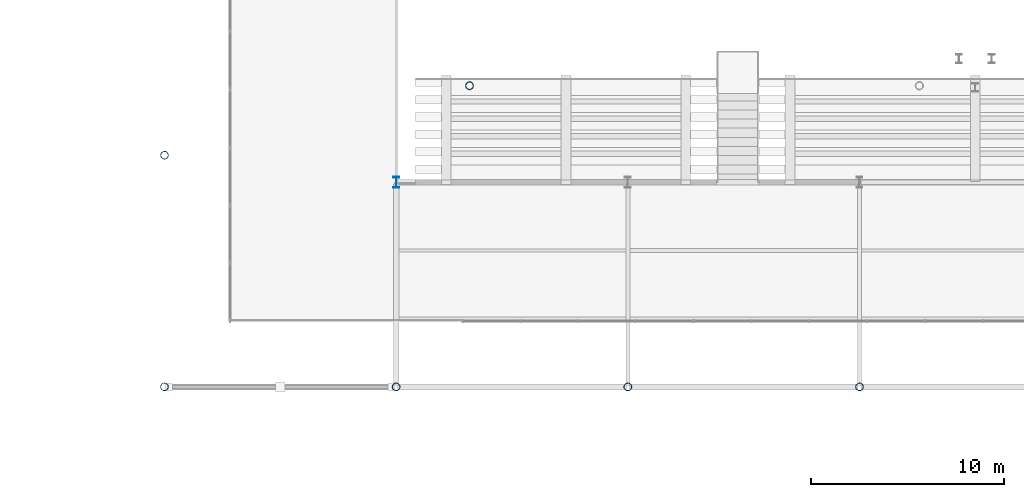
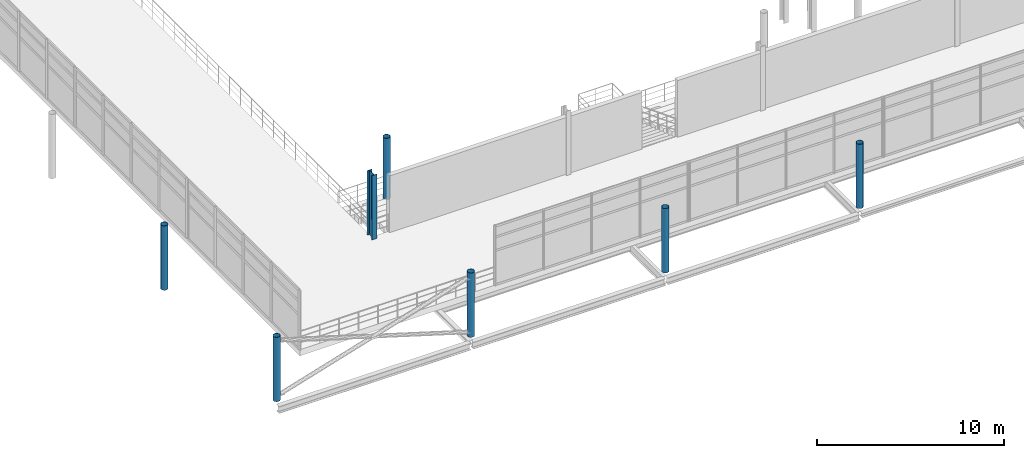
# One storey, part 1 of 89: 7 columns.
"""IFC4 building model written with IfcOpenShell, lengths in metres."""

from ifc_helpers import new_model, si_unit, direction, frame, origin, origin_2d, place, context, subcontext, project, spatial, hollow_circle, i_section, extrude, material, material_profile, profile_set, type_object, element, save


model = new_model("IFC4")

# Units and contexts
model_context = context("Model", 3, precision=1e-05, world=origin(), true_north=direction((0.0, 1.0)))
body_context = subcontext(model_context, "Body", "Model", "MODEL_VIEW")
ifc_project = project(units=[si_unit("LENGTHUNIT", "METRE"), si_unit("AREAUNIT", "SQUARE_METRE"), si_unit("VOLUMEUNIT", "CUBIC_METRE"), si_unit("PLANEANGLEUNIT", "RADIAN"), si_unit("MASSUNIT", "GRAM", prefix="KILO"), si_unit("THERMODYNAMICTEMPERATUREUNIT", "KELVIN"), si_unit("POWERUNIT", "WATT")], contexts=[model_context])

# Site, building, storey
site_placement = place(None, origin())
site = spatial("IfcSite", under=ifc_project, at=site_placement, CompositionType="ELEMENT")
building_placement = place(site_placement, origin())
building = spatial("IfcBuilding", under=site, at=building_placement, Name="Solmara Park Aquatics Centre", CompositionType="ELEMENT")
storey_placement = place(building_placement, frame((0.0, 0.0, 5.39990234375)))
storey = spatial("IfcBuildingStorey", under=building, at=storey_placement, Name="L01", CompositionType="ELEMENT", Elevation=5.39990234375)

# Columns
ifc_material = material(Name="Structural Steel S355", Category="steel")
ifc_material_profile_1 = material_profile(ifc_material, hollow_circle(Radius=0.203125, WallThickness=0.01611328125, at=origin_2d()), Name="CHS 406.4x16")
ifc_profile_set_1 = profile_set([ifc_material_profile_1], Name="Structural Steel S355")
column_type_1 = type_object("IfcColumnType", Name="STR-COL-CHS406", PredefinedType="COLUMN", material=ifc_profile_set_1)
for number, where, z_axis, x_axis, name in (
    (1, (12.60009765625, 12.60009765625, 0.0), (0.0, 0.0, 1.0), (1.0, 0.0, 0.0), "Column L01-0319"),
    (2, (12.60009765625, 24.60009765625, 0.0), (0.0, 0.0, 1.0), (1.0, 0.0, 0.0), "Column L01-0320"),
    (3, (24.60009765625, 12.60009765625, 0.0), (0.0, 0.0, 1.0), (1.0, 0.0, 0.0), "Column L01-0328"),
    (4, (36.60009765625, 12.60009765625, 0.0), (0.0, 0.0, 1.0), (1.0, 0.0, 0.0), "Column L01-0338"),
    (5, (48.60009765625, 12.60009765625, 0.0), (0.0, 0.0, 1.0), (1.0, 0.0, 0.0), "Column L01-0348"),
):
    element("IfcColumn", number, at=place(storey_placement, frame(where, z_axis=z_axis, x_axis=x_axis)), inside=storey, type_object=column_type_1, Name=name, PredefinedType="COLUMN", context=body_context, shape_type="SweptSolid", body=[
        extrude(hollow_circle(Radius=0.203125, WallThickness=0.01611328125, at=origin_2d()), origin(), (0.0, 0.0, 1.0), 4.2001953125),
    ])
column_1_placement = place(storey_placement, frame((28.39990234375, 28.199951171875, -1.7998046875), z_axis=(0.0, 0.0, 1.0), x_axis=(1.0, 0.0, 0.0)))
element("IfcColumn", 6, at=column_1_placement, inside=storey, type_object=column_type_1, Name="Upper Stand Front Column L01 S1-1", PredefinedType="COLUMN", context=body_context, shape_type="SweptSolid", body=[
    extrude(hollow_circle(Radius=0.203125, WallThickness=0.01611328125, at=origin_2d()), origin(), (0.0, 0.0, 1.0), 4.0),
])
ifc_material_profile_2 = material_profile(ifc_material, i_section(OverallWidth=0.300048828125, OverallDepth=0.550048828125, WebThickness=0.014892578125, FlangeThickness=0.029052734375, FilletRadius=0.027099609375, at=origin_2d()), Name="HEB 550")
ifc_profile_set_2 = profile_set([ifc_material_profile_2], Name="Structural Steel S355")
column_type_2 = type_object("IfcColumnType", Name="STR-COL-HEB550", PredefinedType="COLUMN", material=ifc_profile_set_2)
column_2_placement = place(storey_placement, frame((24.60009765625, 23.199951171875, 0.0), z_axis=(0.0, 0.0, 1.0), x_axis=(1.0, 0.0, 0.0)))
element("IfcColumn", 7, at=column_2_placement, inside=storey, type_object=column_type_2, Name="Column L01-0329", PredefinedType="COLUMN", context=body_context, shape_type="SweptSolid", body=[
    extrude(i_section(OverallWidth=0.300048828125, OverallDepth=0.550048828125, WebThickness=0.014892578125, FlangeThickness=0.029052734375, FilletRadius=0.027099609375, at=origin_2d()), origin(), (0.0, 0.0, 1.0), 4.2001953125),
])

save(model, "model.ifc")
